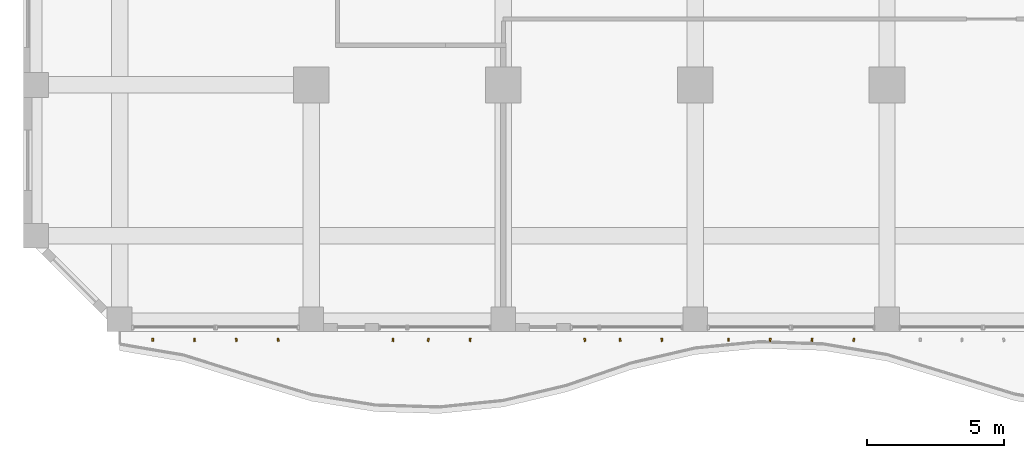
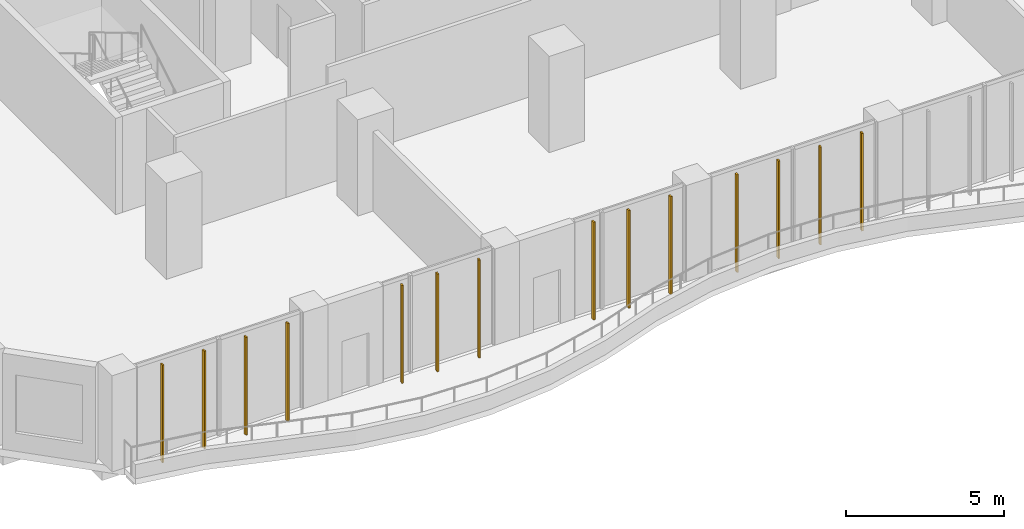
# One storey, part 19 of 27: 14 shading devices.
"""IFC4 building model written with IfcOpenShell, lengths in metres."""

from ifc_helpers import new_model, si_unit, direction, frame, origin, origin_2d, place, context, subcontext, project, spatial, rectangle, extrude, source, transform, mapped, material, material_profile, profile_set, type_object, element, save


model = new_model("IFC4")

# Units and contexts
model_context = context("Model", 3, precision=1e-05, world=origin(), true_north=direction((0.0, 1.0)))
body_context = subcontext(model_context, "Body", "Model", "MODEL_VIEW")
ifc_project = project(units=[si_unit("LENGTHUNIT", "METRE"), si_unit("AREAUNIT", "SQUARE_METRE"), si_unit("VOLUMEUNIT", "CUBIC_METRE"), si_unit("PLANEANGLEUNIT", "RADIAN"), si_unit("MASSUNIT", "GRAM", prefix="KILO")], contexts=[model_context])

# Site, building, storey
site_placement = place(None, origin())
site = spatial("IfcSite", under=ifc_project, at=site_placement, CompositionType="ELEMENT")
building_placement = place(site_placement, origin())
building = spatial("IfcBuilding", under=site, at=building_placement, Name="Kilnfold Tower and Market Hall", CompositionType="ELEMENT")
storey_placement = place(building_placement, frame((0.0, 0.0, 43.0)))
storey = spatial("IfcBuildingStorey", under=building, at=storey_placement, Name="L09", CompositionType="ELEMENT", Elevation=43.0)

# Shading devices
ifc_material = material(Name="Terracotta", Category="masonry")
ifc_material_profile = material_profile(ifc_material, rectangle(XDim=0.06005859375, YDim=0.1201171875, at=origin_2d()), Name="BAG 60x120")
ifc_profile_set = profile_set([ifc_material_profile], Name="Terracotta")
shading_device_type = type_object("IfcShadingDeviceType", Name="BAGUETTE", PredefinedType="USERDEFINED", material=ifc_profile_set)
shared_shape = source(origin(), body_context, "Body", "SweptSolid", [
    extrude(rectangle(XDim=0.06005859375, YDim=0.1201171875, at=origin_2d()), origin(), (0.0, 0.0, 1.0), 3.780029296875),
])
for number, where, z_axis, x_axis, name in (
    (1, (-23.28759765625, -28.300048828125, 0.0), (0.0, 0.0, 1.0), (0.999958498601, -0.009110492661, 0.0), "Terracotta baguette L09 S"),
    (2, (-21.762451171875, -28.300048828125, 0.0), (0.0, 0.0, 1.0), (0.996719115491, 0.080938277815, 0.0), "Terracotta baguette L09 S"),
    (3, (-20.237548828125, -28.300048828125, 0.0), (0.0, 0.0, 1.0), (0.990945745074, 0.134262914905, 0.0), "Terracotta baguette L09 S"),
    (4, (-18.71240234375, -28.300048828125, 0.0), (0.0, 0.0, 1.0), (0.991863365239, 0.12730697034, 0.0), "Terracotta baguette L09 S"),
    (5, (-14.52490234375, -28.300048828125, 0.0), (0.0, 0.0, 1.0), (0.995709691879, -0.092532207901, 0.0), "Terracotta baguette L09 S"),
    (6, (-13.237548828125, -28.300048828125, 0.0), (0.0, 0.0, 1.0), (0.990945745074, -0.134262914905, 0.0), "Terracotta baguette L09 S"),
    (7, (-11.71240234375, -28.300048828125, 0.0), (0.0, 0.0, 1.0), (0.991863365239, -0.12730697034, 0.0), "Terracotta baguette L09 S"),
    (8, (-7.52490234375, -28.300048828125, 0.0), (0.0, 0.0, 1.0), (0.995709691879, 0.092532207901, 0.0), "Terracotta baguette L09 S"),
    (9, (-6.237548828125, -28.300048828125, 0.0), (0.0, 0.0, 1.0), (0.990945745074, 0.134262914905, 0.0), "Terracotta baguette L09 S"),
    (10, (-4.71240234375, -28.300048828125, 0.0), (0.0, 0.0, 1.0), (0.991863365239, 0.12730697034, 0.0), "Terracotta baguette L09 S"),
    (11, (-2.28759765625, -28.300048828125, 0.0), (0.0, 0.0, 1.0), (0.999958498601, 0.009110492661, 0.0), "Terracotta baguette L09 S"),
    (12, (-0.762451171875, -28.300048828125, 0.0), (0.0, 0.0, 1.0), (0.996719115491, -0.080938277815, 0.0), "Terracotta baguette L09 S"),
    (13, (0.762451171875, -28.300048828125, 0.0), (0.0, 0.0, 1.0), (0.990945745074, -0.134262914905, 0.0), "Terracotta baguette L09 S"),
    (14, (2.28759765625, -28.300048828125, 0.0), (0.0, 0.0, 1.0), (0.991863365239, -0.12730697034, 0.0), "Terracotta baguette L09 S"),
):
    element("IfcShadingDevice", number, at=place(storey_placement, frame(where, z_axis=z_axis, x_axis=x_axis)), inside=storey, type_object=shading_device_type, Name=name, ObjectType="BAGUETTE", PredefinedType="USERDEFINED", context=body_context, shape_type="MappedRepresentation", body=[
        mapped(shared_shape, transform((0.0, 0.0, 0.0))),
    ])

save(model, "model.ifc")
